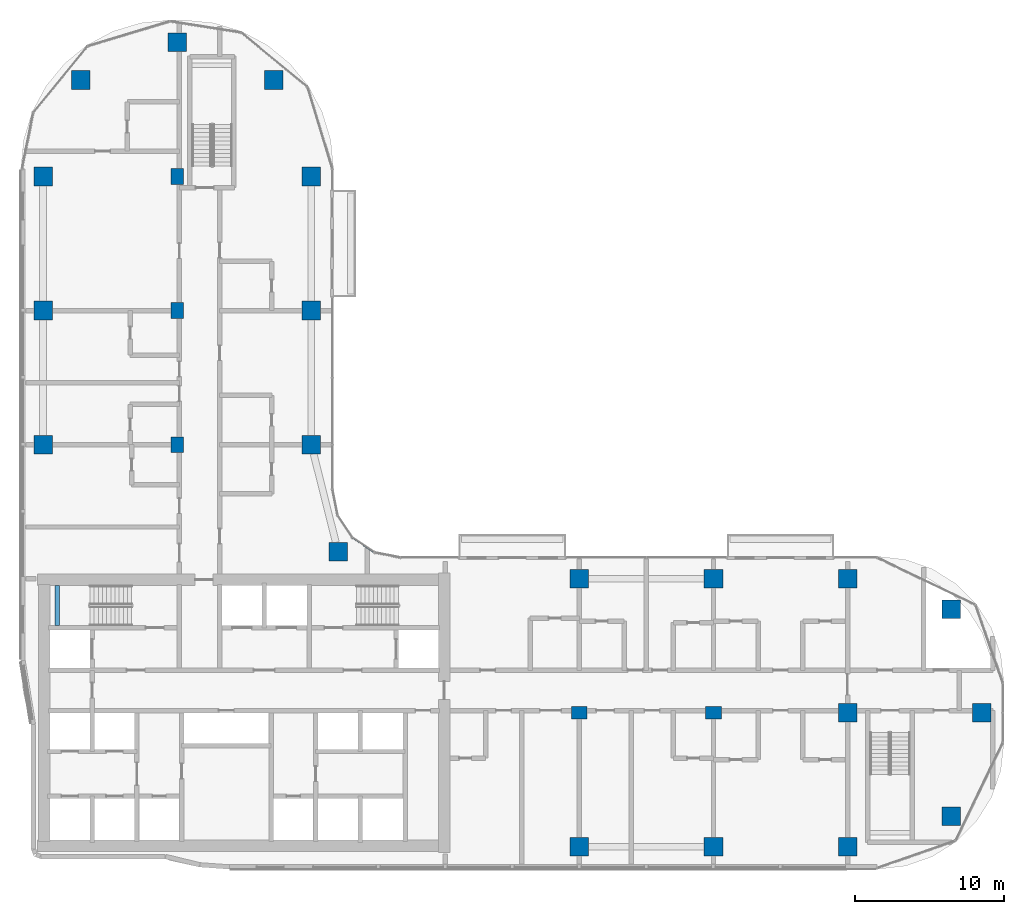
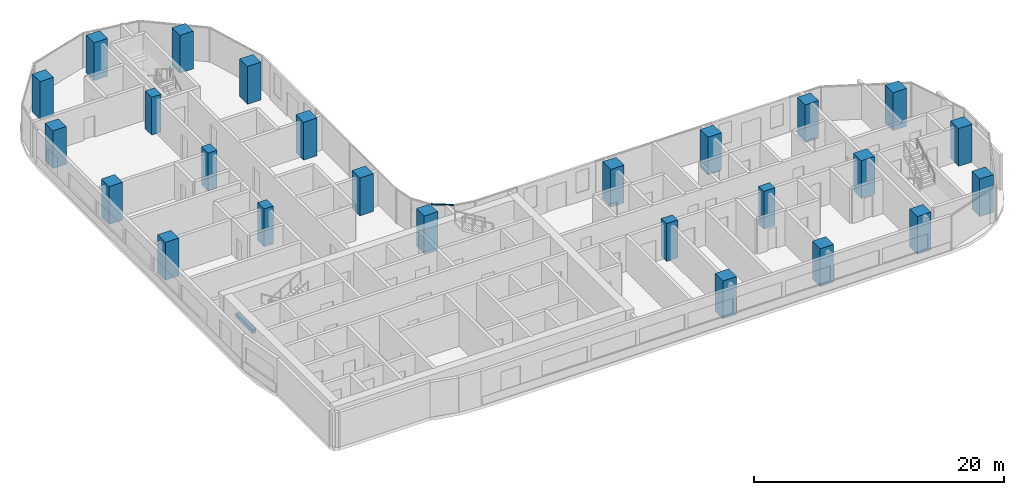
# One storey, part 1 of 21: 25 columns, 1 beam, 1 member, 1 element without a shape of its own.
"""IFC4 building model written with IfcOpenShell, lengths in metres."""

from ifc_helpers import new_model, si_unit, direction, frame, origin, origin_2d, place, context, subcontext, project, spatial, rectangle, extrude, material, material_profile, profile_set, type_object, element, aggregate, save


model = new_model("IFC4")

# Units and contexts
model_context = context("Model", 3, precision=1e-05, world=origin(), true_north=direction((0.0, 1.0)))
body_context = subcontext(model_context, "Body", "Model", "MODEL_VIEW")
ifc_project = project(units=[si_unit("LENGTHUNIT", "METRE"), si_unit("AREAUNIT", "SQUARE_METRE"), si_unit("VOLUMEUNIT", "CUBIC_METRE"), si_unit("PLANEANGLEUNIT", "RADIAN"), si_unit("MASSUNIT", "GRAM", prefix="KILO")], contexts=[model_context])

# Site, building, storey
site_placement = place(None, origin())
site = spatial("IfcSite", under=ifc_project, at=site_placement, CompositionType="ELEMENT")
building_placement = place(site_placement, origin())
building = spatial("IfcBuilding", under=site, at=building_placement, Name="Ogive Portal Towers", CompositionType="ELEMENT")
storey_placement = place(building_placement, frame((0.0, 0.0, 109.300048828125)))
storey = spatial("IfcBuildingStorey", under=building, at=storey_placement, Name="L26", CompositionType="ELEMENT", Elevation=109.300048828125)

# Columns
ifc_material_1 = material(Name="Concrete C60/75", Category="concrete")
ifc_material_profile_1 = material_profile(ifc_material_1, rectangle(XDim=1.050048828125, YDim=0.85009765625, at=origin_2d()), Name="RC 1050x850")
ifc_profile_set_1 = profile_set([ifc_material_profile_1], Name="Concrete C60/75")
column_type_1 = type_object("IfcColumnType", Name="COLUMN RC 1050x850", PredefinedType="COLUMN", material=ifc_profile_set_1)
for number, where, z_axis, x_axis, name in (
    (1, (67.5, 30.5, 0.0), (0.0, 0.0, 1.0), (1.0, 0.0, 0.0), "Column 5/B L26"),
    (2, (76.5, 30.5, 0.0), (0.0, 0.0, 1.0), (1.0, 0.0, 0.0), "Column 6/B L26"),
    (3, (40.5, 48.5, 0.0), (0.0, 0.0, 1.0), (0.0, 1.0, 0.0), "Column 2/D L26"),
    (4, (40.5, 57.5, 0.0), (0.0, 0.0, 1.0), (0.0, 1.0, 0.0), "Column 2/E L26"),
    (5, (40.5, 66.5, 0.0), (0.0, 0.0, 1.0), (0.0, 1.0, 0.0), "Column 2/F L26"),
):
    element("IfcColumn", number, at=place(storey_placement, frame(where, z_axis=z_axis, x_axis=x_axis)), inside=storey, type_object=column_type_1, Name=name, PredefinedType="COLUMN", context=body_context, shape_type="SweptSolid", body=[
        extrude(rectangle(XDim=1.050048828125, YDim=0.85009765625, at=origin_2d()), origin(), (0.0, 0.0, 1.0), 3.699951171875),
    ])
ifc_material_profile_2 = material_profile(ifc_material_1, rectangle(XDim=1.25, YDim=1.25, at=origin_2d()), Name="RC 1250x1250")
ifc_profile_set_2 = profile_set([ifc_material_profile_2], Name="Concrete C60/75")
column_type_2 = type_object("IfcColumnType", Name="COLUMN RC 1250x1250", PredefinedType="COLUMN", material=ifc_profile_set_2)
for number, where, z_axis, x_axis, name in (
    (6, (67.5, 21.5, 0.0), (0.0, 0.0, 1.0), (1.0, 0.0, 0.0), "Column 5/A L26"),
    (7, (76.5, 21.5, 0.0), (0.0, 0.0, 1.0), (1.0, 0.0, 0.0), "Column 6/A L26"),
    (8, (85.5, 21.5, 0.0), (0.0, 0.0, 1.0), (1.0, 0.0, 0.0), "Column 7/A L26"),
    (9, (92.449951171875, 23.550048828125, 0.0), (0.0, 0.0, 1.0), (1.0, 0.0, 0.0), "Column L26"),
    (10, (85.5, 30.5, 0.0), (0.0, 0.0, 1.0), (1.0, 0.0, 0.0), "Column 7/B L26"),
    (11, (94.5, 30.5, 0.0), (0.0, 0.0, 1.0), (1.0, 0.0, 0.0), "Column 8/B L26"),
    (12, (92.449951171875, 37.449951171875, 0.0), (0.0, 0.0, 1.0), (1.0, 0.0, 0.0), "Column L26"),
    (13, (67.5, 39.5, 0.0), (0.0, 0.0, 1.0), (1.0, 0.0, 0.0), "Column 5/C L26"),
    (14, (76.5, 39.5, 0.0), (0.0, 0.0, 1.0), (1.0, 0.0, 0.0), "Column 6/C L26"),
    (15, (85.5, 39.5, 0.0), (0.0, 0.0, 1.0), (1.0, 0.0, 0.0), "Column 7/C L26"),
    (16, (51.31005859375, 41.31005859375, 0.0), (0.0, 0.0, 1.0), (1.0, 0.0, 0.0), "Column L26"),
    (17, (31.5, 48.5, 0.0), (0.0, 0.0, 1.0), (1.0, 0.0, 0.0), "Column 1/D L26"),
    (18, (49.5, 48.5, 0.0), (0.0, 0.0, 1.0), (1.0, 0.0, 0.0), "Column 3/D L26"),
    (19, (31.5, 57.5, 0.0), (0.0, 0.0, 1.0), (1.0, 0.0, 0.0), "Column 1/E L26"),
    (20, (49.5, 57.5, 0.0), (0.0, 0.0, 1.0), (1.0, 0.0, 0.0), "Column 3/E L26"),
    (21, (31.5, 66.5, 0.0), (0.0, 0.0, 1.0), (1.0, 0.0, 0.0), "Column 1/F L26"),
    (22, (49.5, 66.5, 0.0), (0.0, 0.0, 1.0), (1.0, 0.0, 0.0), "Column 3/F L26"),
    (23, (34.027099609375, 72.972900390625, 0.0), (0.0, 0.0, 1.0), (1.0, 0.0, 0.0), "Column L26"),
    (24, (46.972900390625, 72.972900390625, 0.0), (0.0, 0.0, 1.0), (1.0, 0.0, 0.0), "Column L26"),
    (25, (40.5, 75.5, 0.0), (0.0, 0.0, 1.0), (1.0, 0.0, 0.0), "Column 2/G L26"),
):
    element("IfcColumn", number, at=place(storey_placement, frame(where, z_axis=z_axis, x_axis=x_axis)), inside=storey, type_object=column_type_2, Name=name, PredefinedType="COLUMN", context=body_context, shape_type="SweptSolid", body=[
        extrude(rectangle(XDim=1.25, YDim=1.25, at=origin_2d()), origin(), (0.0, 0.0, 1.0), 3.699951171875),
    ])

# Beam
ifc_material_2 = material(Name="Concrete C40/50", Category="concrete")
ifc_material_profile_3 = material_profile(ifc_material_2, rectangle(XDim=0.300048828125, YDim=0.39990234375, at=origin_2d()), Name="RC 300x400")
ifc_profile_set_3 = profile_set([ifc_material_profile_3], Name="Concrete C40/50")
beam_type = type_object("IfcBeamType", Name="BEAM RC 300x400", PredefinedType="BEAM", material=ifc_profile_set_3)
beam_placement = place(storey_placement, frame((32.449951171875, 36.35009765625, 1.449951171875), z_axis=(0.0, 1.0, 0.0), x_axis=(-1.0, 0.0, 0.0)))
element("IfcBeam", 26, at=beam_placement, inside=storey, type_object=beam_type, Name="Landing beam L26", PredefinedType="BEAM", context=body_context, shape_type="SweptSolid", body=[
    extrude(rectangle(XDim=0.300048828125, YDim=0.39990234375, at=origin_2d()), origin(), (0.0, 0.0, 1.0), 2.699951171875),
])

# Curtain wall, member
ifc_material_3 = material(Name="Glass, clear low-iron insulated glazing", Category="glass")
curtain_wall_type = type_object("IfcCurtainWallType", Name="CW FRONT RIBBON 4500", PredefinedType="NOTDEFINED", material=ifc_material_3)
curtain_wall_placement = place(storey_placement, origin())
curtain_wall = element("IfcCurtainWall", 27, at=curtain_wall_placement, inside=storey, type_object=curtain_wall_type, Name="A:L26:f13:cwa", PredefinedType="NOTDEFINED")
ifc_material_4 = material(Name="Aluminium 6063 anodised", Category="aluminium")
ifc_material_profile_4 = material_profile(ifc_material_4, rectangle(XDim=0.1201171875, YDim=0.06005859375, at=origin_2d()), Name="AL 120x60")
ifc_profile_set_4 = profile_set([ifc_material_profile_4], Name="Aluminium 6063 anodised")
member_type = type_object("IfcMemberType", Name="CW TRANSOM 60x120", PredefinedType="USERDEFINED", material=ifc_profile_set_4)
member_placement = place(storey_placement, frame((53.746826171875, 41.26708984375, 3.369873046875), z_axis=(-0.831503657605, 0.555519277244, 0.0), x_axis=(-0.555519277244, -0.831503657605, 0.0)))
member = element("IfcMember", 28, at=member_placement, type_object=member_type, Name="transom", ObjectType="TRANSOM", PredefinedType="USERDEFINED", context=body_context, shape_type="SweptSolid", body=[
    extrude(rectangle(XDim=0.1201171875, YDim=0.06005859375, at=origin_2d()), origin(), (0.0, 0.0, 1.0), 1.787841796875),
])
aggregate(curtain_wall, [member])

save(model, "model.ifc")
